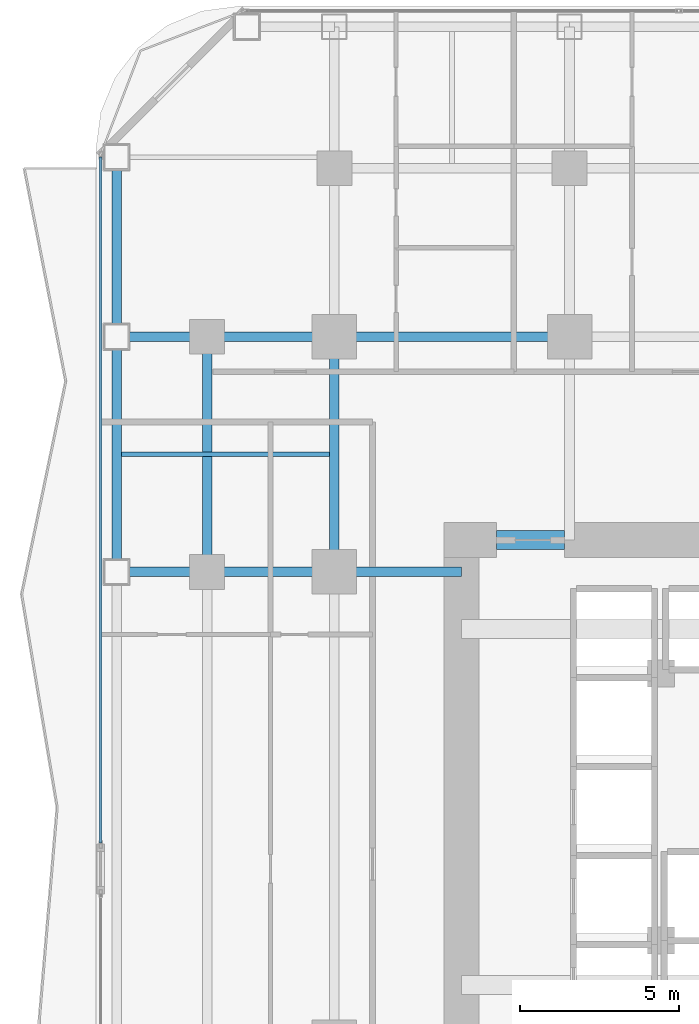
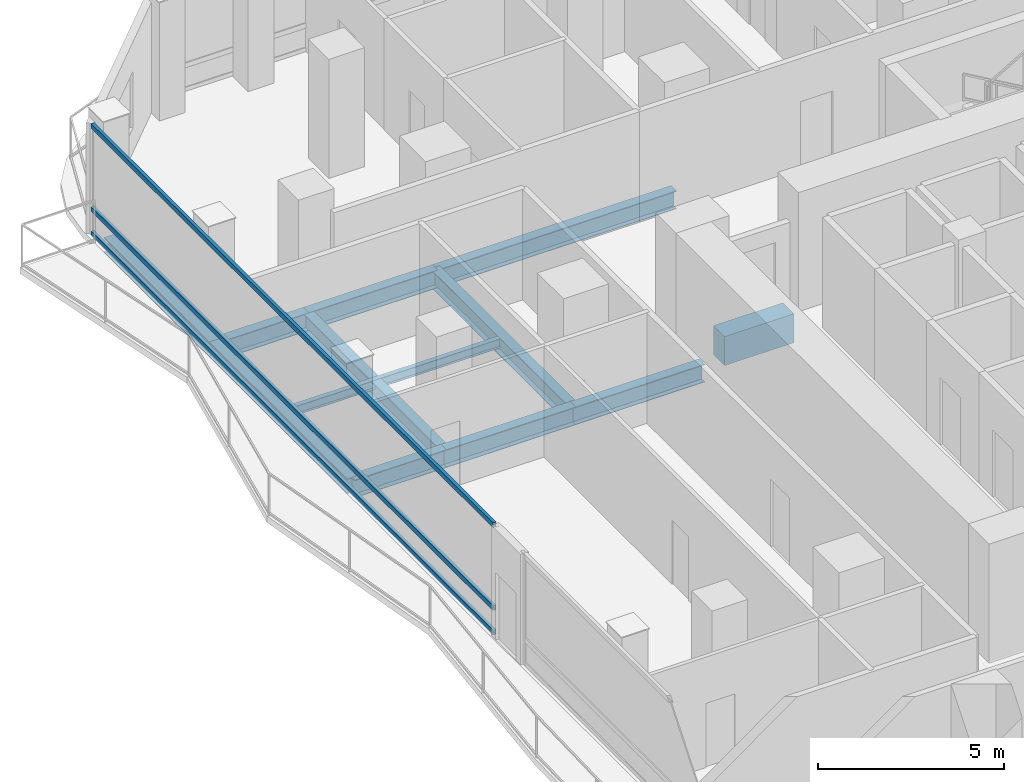
# One storey, part 13 of 27: 12 beams, 3 members, 1 element without a shape of its own.
"""IFC4 building model written with IfcOpenShell, lengths in metres."""

from ifc_helpers import new_model, si_unit, direction, frame, origin, origin_2d, place, context, subcontext, project, spatial, rectangle, hollow_rectangle, i_section, extrude, material, layer, layer_set, material_profile, profile_set, type_object, element, aggregate, save


model = new_model("IFC4")

# Units and contexts
model_context = context("Model", 3, precision=1e-05, world=origin(), true_north=direction((0.0, 1.0)))
body_context = subcontext(model_context, "Body", "Model", "MODEL_VIEW")
ifc_project = project(units=[si_unit("LENGTHUNIT", "METRE"), si_unit("AREAUNIT", "SQUARE_METRE"), si_unit("VOLUMEUNIT", "CUBIC_METRE"), si_unit("PLANEANGLEUNIT", "RADIAN"), si_unit("MASSUNIT", "GRAM", prefix="KILO")], contexts=[model_context])

# Site, building, storey
site_placement = place(None, origin())
site = spatial("IfcSite", under=ifc_project, at=site_placement, CompositionType="ELEMENT")
building_placement = place(site_placement, origin())
building = spatial("IfcBuilding", under=site, at=building_placement, Name="Khorvyn Point Tower", CompositionType="ELEMENT")
storey_placement = place(building_placement, frame((0.0, 0.0, 50.10009765625)))
storey = spatial("IfcBuildingStorey", under=building, at=storey_placement, Name="L13", CompositionType="ELEMENT", Elevation=50.10009765625)

# Curtain wall, members
ifc_material_1 = material(Name="Anodised aluminium 6063-T6 and laminated Low-E glass", Category="aluminium")
ifc_layer = layer(ifc_material_1, 0.18994140625)
ifc_layer_set = layer_set([ifc_layer], Name="Stick-Built Finned Residential Curtain Wall CW-SYS-02")
curtain_wall_type = type_object("IfcCurtainWallType", Name="Stick-Built Finned Residential Curtain Wall CW-SYS-02", PredefinedType="NOTDEFINED", material=ifc_layer_set)
curtain_wall_placement = place(storey_placement, origin())
curtain_wall = element("IfcCurtainWall", 1, at=curtain_wall_placement, inside=storey, type_object=curtain_wall_type, Name="Curtain Wall", PredefinedType="NOTDEFINED")
ifc_material_2 = material(Name="Anodised aluminium 6063-T6", Category="aluminium")
ifc_material_profile_1 = material_profile(ifc_material_2, hollow_rectangle(XDim=0.10009765625, YDim=0.159912109375, WallThickness=0.00439453125, at=origin_2d()))
ifc_profile_set_1 = profile_set([ifc_material_profile_1], Name="Anodised aluminium 6063-T6 ALU-TRN-100x160")
member_type = type_object("IfcMemberType", Name="Anodised Aluminium 6063-T6 Transom ALU-TRN-100x160", PredefinedType="USERDEFINED", material=ifc_profile_set_1)
member_1_placement = place(storey_placement, frame((-22.14990234375, -1.1220703125, 0.0498046875), z_axis=(0.0, 1.0, 0.0), x_axis=(-1.0, 0.0, 0.0)))
member_1 = element("IfcMember", 2, at=member_1_placement, type_object=member_type, Name="Transom", ObjectType="TRANSOM", PredefinedType="USERDEFINED", context=body_context, shape_type="SweptSolid", body=[
    extrude(hollow_rectangle(XDim=0.10009765625, YDim=0.159912109375, WallThickness=0.00439453125, at=origin_2d()), origin(), (0.0, 0.0, 1.0), 21.572021484375),
])
member_2_placement = place(storey_placement, frame((-22.14990234375, -1.1220703125, 0.849853515625), z_axis=(0.0, 1.0, 0.0), x_axis=(-1.0, 0.0, 0.0)))
member_2 = element("IfcMember", 3, at=member_2_placement, type_object=member_type, Name="Transom", ObjectType="TRANSOM", PredefinedType="USERDEFINED", context=body_context, shape_type="SweptSolid", body=[
    extrude(hollow_rectangle(XDim=0.10009765625, YDim=0.159912109375, WallThickness=0.00439453125, at=origin_2d()), origin(), (0.0, 0.0, 1.0), 21.572021484375),
])
member_3_placement = place(storey_placement, frame((-22.14990234375, -1.1220703125, 3.56982421875), z_axis=(0.0, 1.0, 0.0), x_axis=(-1.0, 0.0, 0.0)))
member_3 = element("IfcMember", 4, at=member_3_placement, type_object=member_type, Name="Transom", ObjectType="TRANSOM", PredefinedType="USERDEFINED", context=body_context, shape_type="SweptSolid", body=[
    extrude(hollow_rectangle(XDim=0.10009765625, YDim=0.159912109375, WallThickness=0.00439453125, at=origin_2d()), origin(), (0.0, 0.0, 1.0), 21.572021484375),
])
aggregate(curtain_wall, [member_1, member_2, member_3])

# Beams
ifc_material_3 = material(Name="Concrete C50/60", Category="concrete")
ifc_material_profile_2 = material_profile(ifc_material_3, rectangle(XDim=0.60009765625, YDim=0.949951171875, at=origin_2d()))
ifc_profile_set_2 = profile_set([ifc_material_profile_2], Name="Concrete C50/60 RC600x950")
beam_type_1 = type_object("IfcBeamType", Name="Concrete C50/60 Beam RC600x950", PredefinedType="BEAM", material=ifc_profile_set_2)
beam_1_placement = place(storey_placement, frame((-9.699951171875, 8.39990234375, -0.695068359375), z_axis=(1.0, 0.0, 0.0), x_axis=(0.0, 1.0, 0.0)))
element("IfcBeam", 5, at=beam_1_placement, inside=storey, type_object=beam_type_1, Name="L13 Core Northwest Portal Coupling Beam", PredefinedType="BEAM", context=body_context, shape_type="SweptSolid", body=[
    extrude(rectangle(XDim=0.60009765625, YDim=0.949951171875, at=origin_2d()), origin(), (0.0, 0.0, 1.0), 2.14990234375),
])
ifc_material_4 = material(Name="Steel S355", Category="steel")
ifc_material_profile_3 = material_profile(ifc_material_4, i_section(OverallWidth=0.300048828125, OverallDepth=0.587890625, WebThickness=0.011962890625, FlangeThickness=0.02001953125, at=origin_2d()))
ifc_profile_set_3 = profile_set([ifc_material_profile_3], Name="Steel S355 H588x300x12x20")
beam_type_2 = type_object("IfcBeamType", Name="Steel S355 Beam H588x300x12x20", PredefinedType="BEAM", material=ifc_profile_set_3)
beam_2_placement = place(storey_placement, frame((-21.64990234375, 14.800048828125, -0.51416015625), z_axis=(1.0, 0.0, 0.0), x_axis=(0.0, 1.0, 0.0)))
element("IfcBeam", 6, at=beam_2_placement, inside=storey, type_object=beam_type_2, Name="Beam", PredefinedType="BEAM", context=body_context, shape_type="SweptSolid", body=[
    extrude(i_section(OverallWidth=0.300048828125, OverallDepth=0.587890625, WebThickness=0.011962890625, FlangeThickness=0.02001953125, at=origin_2d()), origin(), (0.0, 0.0, 1.0), 2.849853515625),
])
beam_3_placement = place(storey_placement, frame((-18.800048828125, 14.800048828125, -0.51416015625), z_axis=(1.0, 0.0, 0.0), x_axis=(0.0, 1.0, 0.0)))
element("IfcBeam", 7, at=beam_3_placement, inside=storey, type_object=beam_type_2, Name="Beam", PredefinedType="BEAM", context=body_context, shape_type="SweptSolid", body=[
    extrude(i_section(OverallWidth=0.300048828125, OverallDepth=0.587890625, WebThickness=0.011962890625, FlangeThickness=0.02001953125, at=origin_2d()), origin(), (0.0, 0.0, 1.0), 4.0),
])
beam_4_placement = place(storey_placement, frame((-14.800048828125, 14.800048828125, -0.51416015625), z_axis=(1.0, 0.0, 0.0), x_axis=(0.0, 1.0, 0.0)))
element("IfcBeam", 8, at=beam_4_placement, inside=storey, type_object=beam_type_2, Name="Beam", PredefinedType="BEAM", context=body_context, shape_type="SweptSolid", body=[
    extrude(i_section(OverallWidth=0.300048828125, OverallDepth=0.587890625, WebThickness=0.011962890625, FlangeThickness=0.02001953125, at=origin_2d()), origin(), (0.0, 0.0, 1.0), 7.400146484375),
])
beam_5_placement = place(storey_placement, frame((-21.64990234375, 7.39990234375, -0.51416015625), z_axis=(1.0, 0.0, 0.0), x_axis=(0.0, 1.0, 0.0)))
element("IfcBeam", 9, at=beam_5_placement, inside=storey, type_object=beam_type_2, Name="Beam", PredefinedType="BEAM", context=body_context, shape_type="SweptSolid", body=[
    extrude(i_section(OverallWidth=0.300048828125, OverallDepth=0.587890625, WebThickness=0.011962890625, FlangeThickness=0.02001953125, at=origin_2d()), origin(), (0.0, 0.0, 1.0), 2.849853515625),
])
for number, where, z_axis, x_axis, name in (
    (10, (-18.800048828125, 7.39990234375, -0.51416015625), (1.0, 0.0, 0.0), (0.0, 1.0, 0.0), "Beam"),
    (11, (-14.800048828125, 7.39990234375, -0.51416015625), (1.0, 0.0, 0.0), (0.0, 1.0, 0.0), "Beam"),
):
    element("IfcBeam", number, at=place(storey_placement, frame(where, z_axis=z_axis, x_axis=x_axis)), inside=storey, type_object=beam_type_2, Name=name, PredefinedType="BEAM", context=body_context, shape_type="SweptSolid", body=[
        extrude(i_section(OverallWidth=0.300048828125, OverallDepth=0.587890625, WebThickness=0.011962890625, FlangeThickness=0.02001953125, at=origin_2d()), origin(), (0.0, 0.0, 1.0), 4.0),
    ])
for number, where, z_axis, x_axis, name in (
    (12, (-14.800048828125, 7.39990234375, -0.51416015625), (0.0, 1.0, 0.0), (-1.0, 0.0, 0.0), "Beam"),
    (13, (-18.800048828125, 7.39990234375, -0.51416015625), (0.0, 1.0, 0.0), (-1.0, 0.0, 0.0), "Beam"),
):
    element("IfcBeam", number, at=place(storey_placement, frame(where, z_axis=z_axis, x_axis=x_axis)), inside=storey, type_object=beam_type_2, Name=name, PredefinedType="BEAM", context=body_context, shape_type="SweptSolid", body=[
        extrude(i_section(OverallWidth=0.300048828125, OverallDepth=0.587890625, WebThickness=0.011962890625, FlangeThickness=0.02001953125, at=origin_2d()), origin(), (0.0, 0.0, 1.0), 7.400146484375),
    ])
ifc_material_profile_4 = material_profile(ifc_material_4, i_section(OverallWidth=0.14990234375, OverallDepth=0.300048828125, WebThickness=0.006591796875, FlangeThickness=0.009033203125, at=origin_2d()))
ifc_profile_set_4 = profile_set([ifc_material_profile_4], Name="Steel S355 H300x150x6.5x9")
beam_type_3 = type_object("IfcBeamType", Name="Steel S355 Joist H300x150x6.5x9", PredefinedType="JOIST", material=ifc_profile_set_4)
beam_6_placement = place(storey_placement, frame((-21.5, 11.10009765625, -0.3701171875), z_axis=(1.0, 0.0, 0.0), x_axis=(0.0, 1.0, 0.0)))
element("IfcBeam", 14, at=beam_6_placement, inside=storey, type_object=beam_type_3, Name="Beam", PredefinedType="JOIST", context=body_context, shape_type="SweptSolid", body=[
    extrude(i_section(OverallWidth=0.14990234375, OverallDepth=0.300048828125, WebThickness=0.006591796875, FlangeThickness=0.009033203125, at=origin_2d()), origin(), (0.0, 0.0, 1.0), 6.550048828125),
])
ifc_material_profile_5 = material_profile(ifc_material_4, i_section(OverallWidth=0.300048828125, OverallDepth=0.488037109375, WebThickness=0.010986328125, FlangeThickness=0.01806640625, at=origin_2d()))
ifc_profile_set_5 = profile_set([ifc_material_profile_5], Name="Steel S355 H488x300x11x18")
beam_type_4 = type_object("IfcBeamType", Name="Steel S355 Spandrel H488x300x11x18", PredefinedType="SPANDREL", material=ifc_profile_set_5)
beam_7_placement = place(storey_placement, frame((-21.64990234375, 7.39990234375, -0.464111328125), z_axis=(0.0, 1.0, 0.0), x_axis=(-1.0, 0.0, 0.0)))
element("IfcBeam", 15, at=beam_7_placement, inside=storey, type_object=beam_type_4, Name="Beam", PredefinedType="SPANDREL", context=body_context, shape_type="SweptSolid", body=[
    extrude(i_section(OverallWidth=0.300048828125, OverallDepth=0.488037109375, WebThickness=0.010986328125, FlangeThickness=0.01806640625, at=origin_2d()), origin(), (0.0, 0.0, 1.0), 7.400146484375),
])
beam_8_placement = place(storey_placement, frame((-21.64990234375, 14.800048828125, -0.464111328125), z_axis=(0.0, 1.0, 0.0), x_axis=(-1.0, 0.0, 0.0)))
element("IfcBeam", 16, at=beam_8_placement, inside=storey, type_object=beam_type_4, Name="Beam", PredefinedType="SPANDREL", context=body_context, shape_type="SweptSolid", body=[
    extrude(i_section(OverallWidth=0.300048828125, OverallDepth=0.488037109375, WebThickness=0.010986328125, FlangeThickness=0.01806640625, at=origin_2d()), origin(), (0.0, 0.0, 1.0), 5.64990234375),
])

save(model, "model.ifc")
